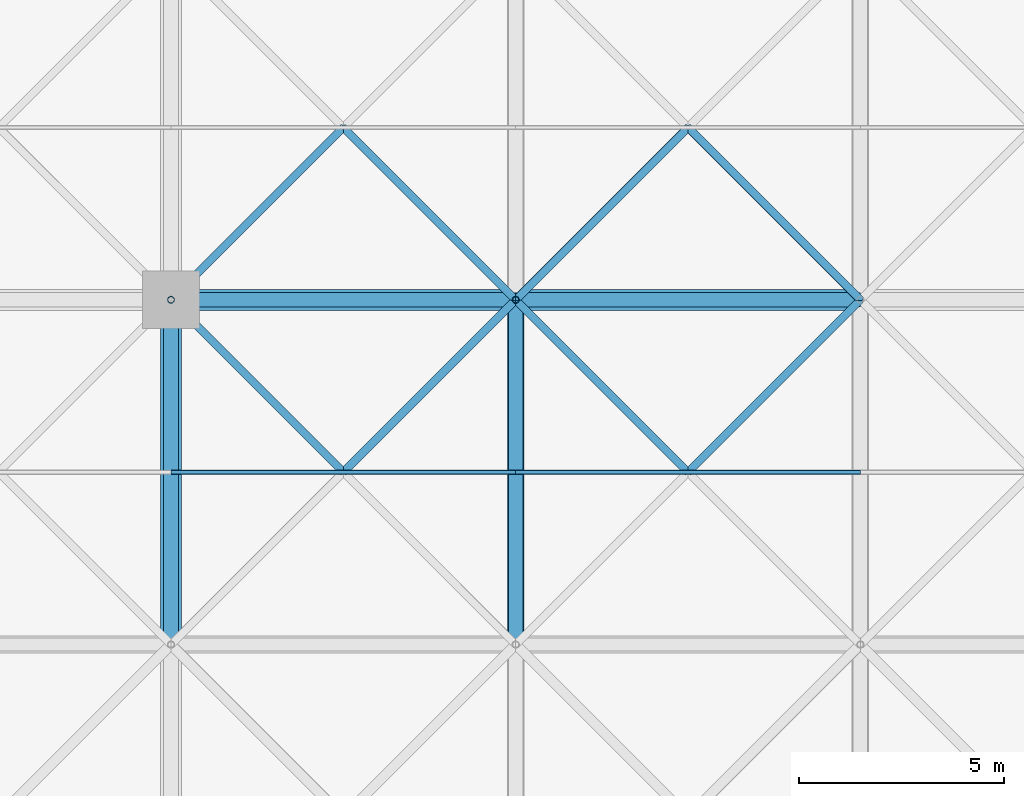
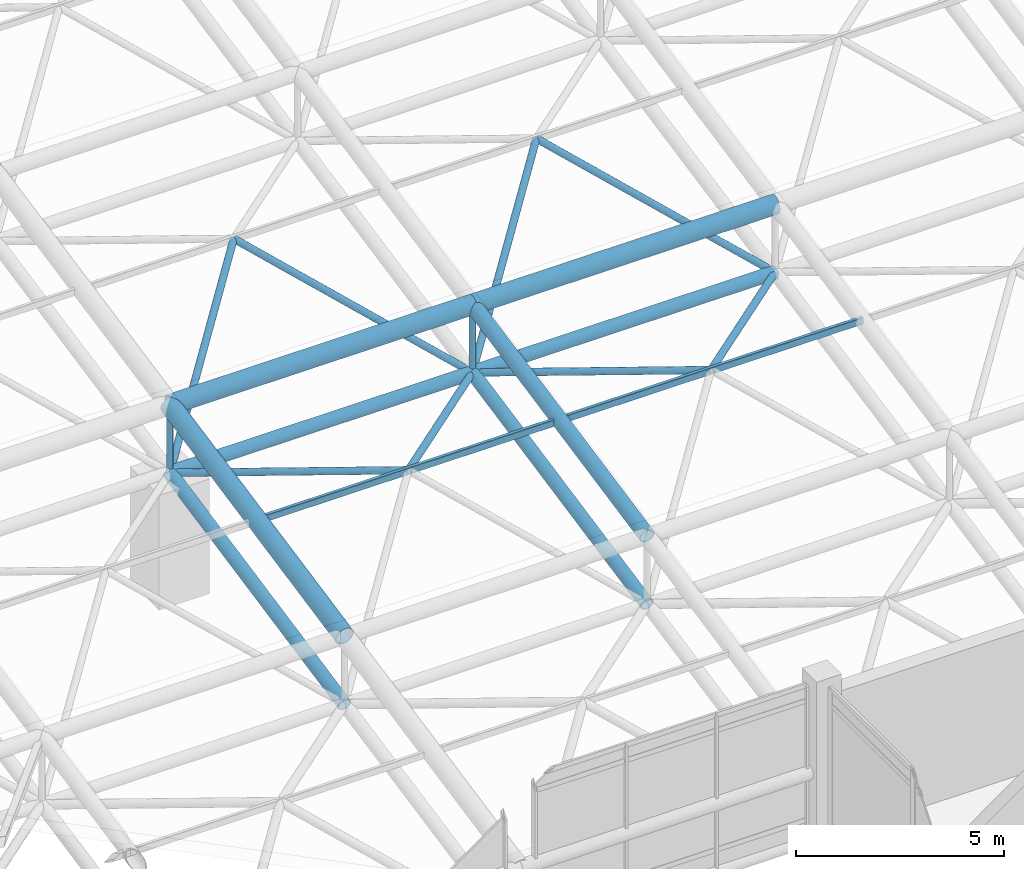
# One storey, part 29 of 110: 20 members.
"""IFC4 building model written with IfcOpenShell, lengths in metres."""

from ifc_helpers import new_model, si_unit, direction, frame, origin, origin_2d, place, context, subcontext, project, spatial, hollow_rectangle, hollow_circle, extrude, material, material_profile, profile_set, type_object, element, save


model = new_model("IFC4")

# Units and contexts
model_context = context("Model", 3, precision=1e-05, world=origin(), true_north=direction((0.0, 1.0)))
body_context = subcontext(model_context, "Body", "Model", "MODEL_VIEW")
ifc_project = project(units=[si_unit("LENGTHUNIT", "METRE"), si_unit("AREAUNIT", "SQUARE_METRE"), si_unit("VOLUMEUNIT", "CUBIC_METRE"), si_unit("PLANEANGLEUNIT", "RADIAN"), si_unit("MASSUNIT", "GRAM", prefix="KILO")], contexts=[model_context])

# Site, building, storey
site_placement = place(None, origin())
site = spatial("IfcSite", under=ifc_project, at=site_placement, CompositionType="ELEMENT")
building_placement = place(site_placement, origin())
building = spatial("IfcBuilding", under=site, at=building_placement, Name="Qawsi Khor Wholesale Market", CompositionType="ELEMENT")
storey_placement = place(building_placement, frame((0.0, 0.0, 11.39990234375)))
storey = spatial("IfcBuildingStorey", under=building, at=storey_placement, Name="L02", CompositionType="ELEMENT", Elevation=11.39990234375)

# Members
ifc_material = material(Name="Steel S355", Category="steel")
ifc_material_profile_1 = material_profile(ifc_material, hollow_circle(Radius=0.177734375, WallThickness=0.01611328125, at=origin_2d()), Name="CHS 355.6x16.0")
ifc_profile_set_1 = profile_set([ifc_material_profile_1], Name="Steel S355")
member_type_1 = type_object("IfcMemberType", Name="Space-Frame Bottom Chord CHS 355.6x16.0", PredefinedType="CHORD", material=ifc_profile_set_1)
member_1_placement = place(storey_placement, frame((159.60009765625, 50.39990234375, 1.670166015625), z_axis=(0.0, 0.98013111127, 0.198350711418), x_axis=(-1.0, 0.0, 0.0)))
element("IfcMember", 1, at=member_1_placement, inside=storey, type_object=member_type_1, Name="Space frame bottom chord Y EH (19,6)", PredefinedType="CHORD", context=body_context, shape_type="SweptSolid", body=[
    extrude(hollow_circle(Radius=0.177734375, WallThickness=0.01611328125, at=origin_2d()), origin(), (0.0, 0.0, 1.0), 8.5703125),
])
member_2_placement = place(storey_placement, frame((159.60009765625, 58.800048828125, 3.3701171875), z_axis=(1.0, 0.0, 0.0), x_axis=(0.0, 1.0, 0.0)))
element("IfcMember", 2, at=member_2_placement, inside=storey, type_object=member_type_1, Name="Space frame bottom chord X EH (19,7)", PredefinedType="CHORD", context=body_context, shape_type="SweptSolid", body=[
    extrude(hollow_circle(Radius=0.177734375, WallThickness=0.01611328125, at=origin_2d()), origin(), (0.0, 0.0, 1.0), 8.39990234375),
])
member_3_placement = place(storey_placement, frame((168.0, 50.39990234375, 1.670166015625), z_axis=(0.0, 0.98013111127, 0.198350711418), x_axis=(-1.0, 0.0, 0.0)))
element("IfcMember", 3, at=member_3_placement, inside=storey, type_object=member_type_1, Name="Space frame bottom chord Y EH (20,6)", PredefinedType="CHORD", context=body_context, shape_type="SweptSolid", body=[
    extrude(hollow_circle(Radius=0.177734375, WallThickness=0.01611328125, at=origin_2d()), origin(), (0.0, 0.0, 1.0), 8.5703125),
])
member_4_placement = place(storey_placement, frame((168.0, 58.800048828125, 3.3701171875), z_axis=(1.0, 0.0, 0.0), x_axis=(0.0, 1.0, 0.0)))
element("IfcMember", 4, at=member_4_placement, inside=storey, type_object=member_type_1, Name="Space frame bottom chord X EH (20,7)", PredefinedType="CHORD", context=body_context, shape_type="SweptSolid", body=[
    extrude(hollow_circle(Radius=0.177734375, WallThickness=0.01611328125, at=origin_2d()), origin(), (0.0, 0.0, 1.0), 8.39990234375),
])
ifc_material_profile_2 = material_profile(ifc_material, hollow_circle(Radius=0.25390625, WallThickness=0.02490234375, at=origin_2d()), Name="CHS 508.0x25.0")
ifc_profile_set_2 = profile_set([ifc_material_profile_2], Name="Steel S355")
member_type_2 = type_object("IfcMemberType", Name="Space-Frame Main Chord CHS 508.0x25.0", PredefinedType="CHORD", material=ifc_profile_set_2)
member_5_placement = place(storey_placement, frame((159.60009765625, 50.39990234375, 3.670166015625), z_axis=(0.0, 0.98013111127, 0.198350711418), x_axis=(-1.0, 0.0, 0.0)))
element("IfcMember", 5, at=member_5_placement, inside=storey, type_object=member_type_2, Name="Space frame top chord Y EH (19,6)", PredefinedType="CHORD", context=body_context, shape_type="SweptSolid", body=[
    extrude(hollow_circle(Radius=0.25390625, WallThickness=0.02490234375, at=origin_2d()), origin(), (0.0, 0.0, 1.0), 8.5703125),
])
for number, where, z_axis, x_axis, name in (
    (6, (159.60009765625, 58.800048828125, 5.3701171875), (1.0, 0.0, 0.0), (0.0, 1.0, 0.0), "Space frame top chord X EH (19,7)"),
    (7, (168.0, 58.800048828125, 5.3701171875), (1.0, 0.0, 0.0), (0.0, 1.0, 0.0), "Space frame top chord X EH (20,7)"),
):
    element("IfcMember", number, at=place(storey_placement, frame(where, z_axis=z_axis, x_axis=x_axis)), inside=storey, type_object=member_type_2, Name=name, PredefinedType="CHORD", context=body_context, shape_type="SweptSolid", body=[
        extrude(hollow_circle(Radius=0.25390625, WallThickness=0.02490234375, at=origin_2d()), origin(), (0.0, 0.0, 1.0), 8.39990234375),
    ])
ifc_material_profile_3 = material_profile(ifc_material, hollow_rectangle(XDim=0.10009765625, YDim=0.199951171875, WallThickness=0.008056640625, InnerFilletRadius=0.008056640625, OuterFilletRadius=0.01611328125, at=origin_2d()), Name="RHS 200x100x8.0")
ifc_profile_set_3 = profile_set([ifc_material_profile_3], Name="Steel S355")
member_type_3 = type_object("IfcMemberType", Name="Space-Frame Purlin RHS 200x100x8.0", PredefinedType="PURLIN", material=ifc_profile_set_3)
for number, where, z_axis, x_axis, name in (
    (8, (159.60009765625, 54.60009765625, 4.52001953125), (1.0, 0.0, 0.0), (0.0, 1.0, 0.0), "Space frame purlin EH (19,6)"),
    (9, (168.0, 54.60009765625, 4.52001953125), (1.0, 0.0, 0.0), (0.0, 1.0, 0.0), "Space frame purlin EH (20,6)"),
):
    element("IfcMember", number, at=place(storey_placement, frame(where, z_axis=z_axis, x_axis=x_axis)), inside=storey, type_object=member_type_3, Name=name, PredefinedType="PURLIN", context=body_context, shape_type="SweptSolid", body=[
        extrude(hollow_rectangle(XDim=0.10009765625, YDim=0.199951171875, WallThickness=0.008056640625, InnerFilletRadius=0.008056640625, OuterFilletRadius=0.01611328125, at=origin_2d()), origin(), (0.0, 0.0, 1.0), 8.39990234375),
    ])
ifc_material_profile_4 = material_profile(ifc_material, hollow_circle(Radius=0.096923828125, WallThickness=0.008056640625, at=origin_2d()), Name="CHS 193.7x8.0")
ifc_profile_set_4 = profile_set([ifc_material_profile_4], Name="Steel S355")
member_type_4 = type_object("IfcMemberType", Name="Space-Frame Secondary Diagonal CHS 193.7x8.0", PredefinedType="RAFTER", material=ifc_profile_set_4)
for number, where, z_axis, x_axis, name in (
    (10, (168.0, 58.800048828125, 3.3701171875), (-0.694216714393, -0.694216714393, 0.190069216113), (0.707106781187, -0.707106781187, 0.0), "Space frame diagonal EH (19,6)-3"),
    (11, (159.60009765625, 58.800048828125, 3.3701171875), (0.694216714393, -0.694216714393, 0.190069216113), (0.707106781187, 0.707106781187, 0.0), "Space frame diagonal EH (19,6)-4"),
):
    element("IfcMember", number, at=place(storey_placement, frame(where, z_axis=z_axis, x_axis=x_axis)), inside=storey, type_object=member_type_4, Name=name, PredefinedType="RAFTER", context=body_context, shape_type="SweptSolid", body=[
        extrude(hollow_circle(Radius=0.096923828125, WallThickness=0.008056640625, at=origin_2d()), origin(), (0.0, 0.0, 1.0), 6.0498046875),
    ])
for number, where, z_axis, x_axis, name in (
    (12, (159.60009765625, 58.800048828125, 3.3701171875), (0.637511741089, 0.637511741089, 0.432617105474), (-0.707106781187, 0.707106781187, 0.0), "Space frame diagonal EH (19,7)-1"),
    (13, (168.0, 58.800048828125, 3.3701171875), (-0.637511741089, 0.637511741089, 0.432617105474), (-0.707106781187, -0.707106781187, 0.0), "Space frame diagonal EH (19,7)-2"),
):
    element("IfcMember", number, at=place(storey_placement, frame(where, z_axis=z_axis, x_axis=x_axis)), inside=storey, type_object=member_type_4, Name=name, PredefinedType="RAFTER", context=body_context, shape_type="SweptSolid", body=[
        extrude(hollow_circle(Radius=0.096923828125, WallThickness=0.008056640625, at=origin_2d()), origin(), (0.0, 0.0, 1.0), 6.588134765625),
    ])
for number, where, z_axis, x_axis, name in (
    (14, (176.39990234375, 58.800048828125, 3.3701171875), (-0.694216714393, -0.694216714393, 0.190069216113), (0.707106781187, -0.707106781187, 0.0), "Space frame diagonal EH (20,6)-3"),
    (15, (168.0, 58.800048828125, 3.3701171875), (0.694216714393, -0.694216714393, 0.190069216113), (0.707106781187, 0.707106781187, 0.0), "Space frame diagonal EH (20,6)-4"),
):
    element("IfcMember", number, at=place(storey_placement, frame(where, z_axis=z_axis, x_axis=x_axis)), inside=storey, type_object=member_type_4, Name=name, PredefinedType="RAFTER", context=body_context, shape_type="SweptSolid", body=[
        extrude(hollow_circle(Radius=0.096923828125, WallThickness=0.008056640625, at=origin_2d()), origin(), (0.0, 0.0, 1.0), 6.0498046875),
    ])
for number, where, z_axis, x_axis, name in (
    (16, (168.0, 58.800048828125, 3.3701171875), (0.637511741089, 0.637511741089, 0.432617105474), (-0.707106781187, 0.707106781187, 0.0), "Space frame diagonal EH (20,7)-1"),
    (17, (176.39990234375, 58.800048828125, 3.3701171875), (-0.637511741089, 0.637511741089, 0.432617105474), (-0.707106781187, -0.707106781187, 0.0), "Space frame diagonal EH (20,7)-2"),
):
    element("IfcMember", number, at=place(storey_placement, frame(where, z_axis=z_axis, x_axis=x_axis)), inside=storey, type_object=member_type_4, Name=name, PredefinedType="RAFTER", context=body_context, shape_type="SweptSolid", body=[
        extrude(hollow_circle(Radius=0.096923828125, WallThickness=0.008056640625, at=origin_2d()), origin(), (0.0, 0.0, 1.0), 6.588134765625),
    ])
ifc_material_profile_5 = material_profile(ifc_material, hollow_circle(Radius=0.203125, WallThickness=0.02001953125, at=origin_2d()), Name="CHS 406.4x20.0")
ifc_profile_set_5 = profile_set([ifc_material_profile_5], Name="Steel S355")
member_type_5 = type_object("IfcMemberType", Name="Space-Frame Top Chord CHS 406.4x20.0", PredefinedType="CHORD", material=ifc_profile_set_5)
member_6_placement = place(storey_placement, frame((168.0, 50.39990234375, 3.670166015625), z_axis=(0.0, 0.98013111127, 0.198350711418), x_axis=(-1.0, 0.0, 0.0)))
element("IfcMember", 18, at=member_6_placement, inside=storey, type_object=member_type_5, Name="Space frame top chord Y EH (20,6)", PredefinedType="CHORD", context=body_context, shape_type="SweptSolid", body=[
    extrude(hollow_circle(Radius=0.203125, WallThickness=0.02001953125, at=origin_2d()), origin(), (0.0, 0.0, 1.0), 8.5703125),
])
ifc_material_profile_6 = material_profile(ifc_material, hollow_circle(Radius=0.084228515625, WallThickness=0.008056640625, at=origin_2d()), Name="CHS 168.3x8.0")
ifc_profile_set_6 = profile_set([ifc_material_profile_6], Name="Steel S355")
member_type_6 = type_object("IfcMemberType", Name="Space-Frame Vertical Strut CHS 168.3x8.0", PredefinedType="STRUT", material=ifc_profile_set_6)
for number, where, z_axis, x_axis, name in (
    (19, (159.60009765625, 58.800048828125, 3.3701171875), (0.0, 0.0, 1.0), (1.0, 0.0, 0.0), "Space frame post EH (19,7)"),
    (20, (168.0, 58.800048828125, 3.3701171875), (0.0, 0.0, 1.0), (1.0, 0.0, 0.0), "Space frame post EH (20,7)"),
):
    element("IfcMember", number, at=place(storey_placement, frame(where, z_axis=z_axis, x_axis=x_axis)), inside=storey, type_object=member_type_6, Name=name, PredefinedType="STRUT", context=body_context, shape_type="SweptSolid", body=[
        extrude(hollow_circle(Radius=0.084228515625, WallThickness=0.008056640625, at=origin_2d()), origin(), (0.0, 0.0, 1.0), 2.0),
    ])

save(model, "model.ifc")
